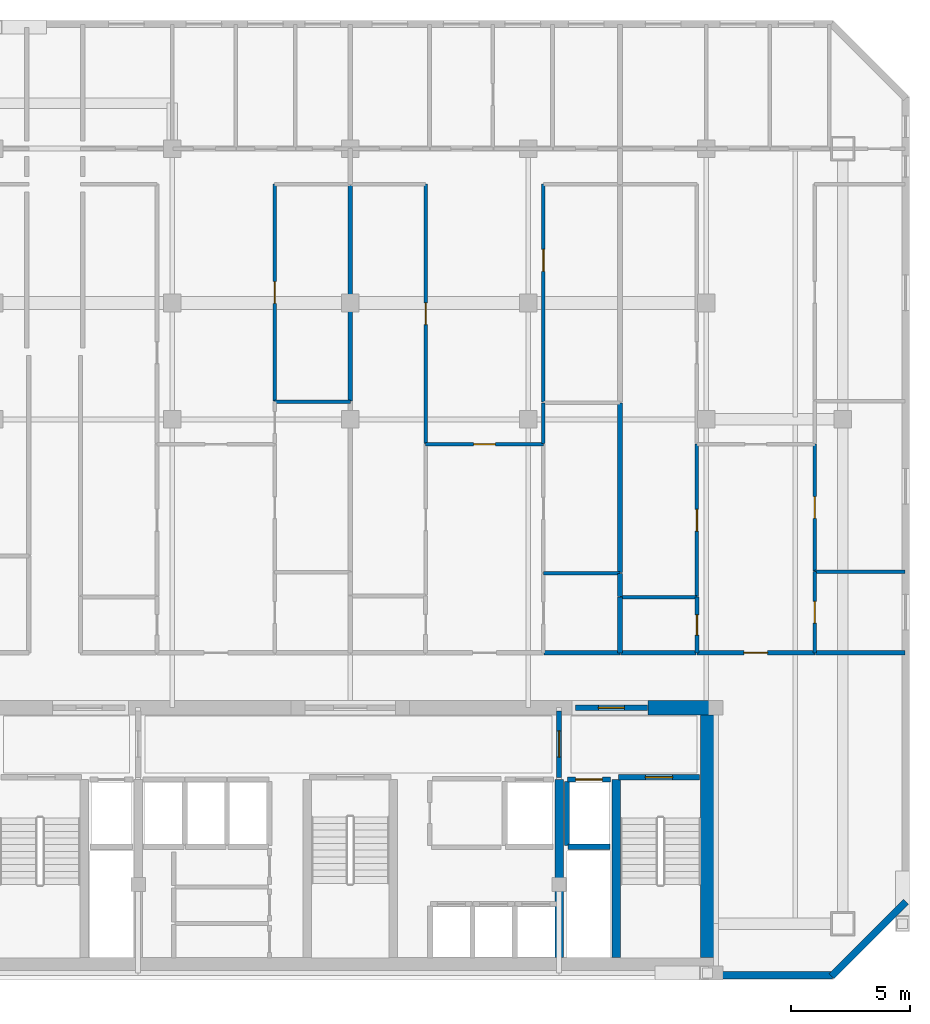
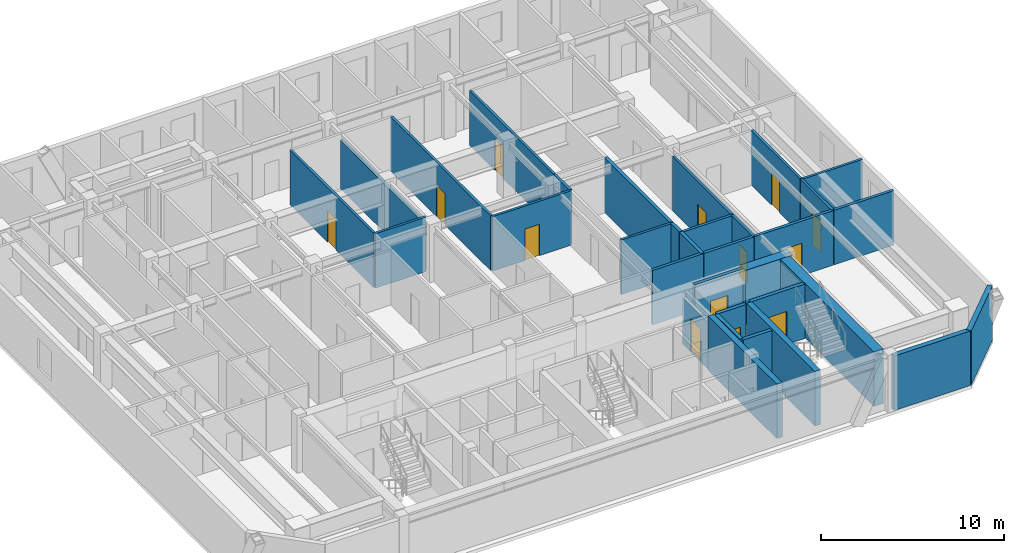
# One storey, part 5 of 9: 33 walls, 13 doors, 13 openings.
"""IFC4 building model written with IfcOpenShell, lengths in metres."""

from ifc_helpers import new_model, si_unit, direction, frame, frame_2d, origin, place, context, subcontext, project, spatial, rectangle, extrude, material, layer, layer_set, type_object, element, fill, save


model = new_model("IFC4")

# Units and contexts
model_context = context("Model", 3, precision=1e-05, world=origin(), true_north=direction((0.0, 1.0)))
body_context = subcontext(model_context, "Body", "Model", "MODEL_VIEW")
ifc_project = project(units=[si_unit("LENGTHUNIT", "METRE"), si_unit("AREAUNIT", "SQUARE_METRE"), si_unit("VOLUMEUNIT", "CUBIC_METRE"), si_unit("PLANEANGLEUNIT", "RADIAN"), si_unit("MASSUNIT", "GRAM", prefix="KILO")], contexts=[model_context])

# Site, building, storey
site_placement = place(None, origin())
site = spatial("IfcSite", under=ifc_project, at=site_placement, CompositionType="ELEMENT")
building_placement = place(site_placement, origin())
building = spatial("IfcBuilding", under=site, at=building_placement, Name="Ventersveld Concourse Tower", CompositionType="ELEMENT")
storey_placement = place(building_placement, frame((0.0, 0.0, 215.699951171875)))
storey = spatial("IfcBuildingStorey", under=building, at=storey_placement, Name="L53", CompositionType="ELEMENT", Elevation=215.699951171875)

# Walls
ifc_material_1 = material(Name="Concrete C50/60", Category="concrete")
ifc_layer_1 = layer(ifc_material_1, 0.35009765625)
ifc_layer_set_1 = layer_set([ifc_layer_1], Name="Concrete C50/60")
wall_type_1 = type_object("IfcWallType", Name="WL-CORE-350U", PredefinedType="SHEAR", material=ifc_layer_set_1)
for number, where, z_axis, x_axis, name in (
    (1, (37.550048828125, 0.919921875, 0.0), (0.0, 0.0, 1.0), (0.0, 1.0, 0.0), "L53 Core Internal Shear Web W-SVL-W"),
    (2, (39.9599609375, 0.919921875, 0.0), (0.0, 0.0, 1.0), (0.0, 1.0, 0.0), "L53 Core Internal Shear Web W-ST2-W"),
):
    element("IfcWall", number, at=place(storey_placement, frame(where, z_axis=z_axis, x_axis=x_axis)), inside=storey, type_object=wall_type_1, Name=name, PredefinedType="SHEAR", context=body_context, shape_type="SweptSolid", body=[
        extrude(rectangle(XDim=7.5, YDim=0.35009765625, at=frame_2d((3.75, 0.0))), origin(), (0.0, 0.0, 1.0), 3.630126953125),
    ])
ifc_layer_2 = layer(ifc_material_1, 0.60009765625)
ifc_layer_set_2 = layer_set([ifc_layer_2], Name="Concrete C50/60")
wall_type_2 = type_object("IfcWallType", Name="WL-CORE-600", PredefinedType="SHEAR", material=ifc_layer_set_2)
wall_1_placement = place(storey_placement, frame((43.800048828125, 0.919921875, 0.0), z_axis=(0.0, 0.0, 1.0), x_axis=(0.0, 1.0, 0.0)))
element("IfcWall", 3, at=wall_1_placement, inside=storey, type_object=wall_type_2, Name="L53 Rear Core East Shear Wall", PredefinedType="SHEAR", context=body_context, shape_type="SweptSolid", body=[
    extrude(rectangle(XDim=10.530029296875, YDim=0.60009765625, at=frame_2d((5.26513671875, 0.0))), origin(), (0.0, 0.0, 1.0), 3.630126953125),
])
wall_2_placement = place(storey_placement, frame((41.300048828125, 11.449951171875, 0.0), z_axis=(0.0, 0.0, 1.0), x_axis=(1.0, 0.0, 0.0)))
element("IfcWall", 4, at=wall_2_placement, inside=storey, type_object=wall_type_2, Name="L53 Rear Core North Shear Wall NE", PredefinedType="SHEAR", context=body_context, shape_type="SweptSolid", body=[
    extrude(rectangle(XDim=2.949951171875, YDim=0.60009765625, at=frame_2d((1.47509765625, 0.0))), origin(), (0.0, 0.0, 1.0), 3.630126953125),
])
ifc_material_2 = material(Name="Fire-rated autoclaved aerated masonry blockwork", Category="masonry")
ifc_layer_3 = layer(ifc_material_2, 0.179931640625)
ifc_layer_set_3 = layer_set([ifc_layer_3], Name="Fire-rated autoclaved aerated masonry blockwork")
wall_type_3 = type_object("IfcWallType", Name="WL-CORR-180", PredefinedType="PARTITIONING", material=ifc_layer_set_3)
wall_3_placement = place(storey_placement, frame((36.923095703125, 13.77001953125, 0.0), z_axis=(0.0, 0.0, 1.0), x_axis=(1.0, 0.0, 0.0)))
element("IfcWall", 5, at=wall_3_placement, inside=storey, type_object=wall_type_3, Name="L53 Interior Partition SP-L53-COR-SP-L53-53N2-KIT", PredefinedType="PARTITIONING", context=body_context, shape_type="SweptSolid", body=[
    extrude(rectangle(XDim=3.19189453125, YDim=0.179931640625, at=frame_2d((1.595947265625, 0.0))), origin(), (0.0, 0.0, 1.0), 3.630126953125),
])

# Wall, opening, door
wall_4_placement = place(storey_placement, frame((43.35009765625, 13.77001953125, 0.0), z_axis=(0.0, 0.0, 1.0), x_axis=(1.0, 0.0, 0.0)))
wall_4 = element("IfcWall", 6, at=wall_4_placement, inside=storey, type_object=wall_type_3, Name="L53 Interior Partition SP-L53-COR-SP-L53-53N3-FOY", PredefinedType="PARTITIONING", context=body_context, shape_type="SweptSolid", body=[
    extrude(rectangle(XDim=4.972900390625, YDim=0.179931640625, at=frame_2d((2.486328125, 0.0))), origin(), (0.0, 0.0, 1.0), 3.630126953125),
])
opening_1_placement = place(wall_4_placement, frame((1.986328125, 0.0, 0.0)))
opening_1 = element("IfcOpeningElement", 7, at=opening_1_placement, cuts=wall_4, Name="Opening FD3", PredefinedType="OPENING", context=body_context, shape_type="SweptSolid", body=[
    extrude(rectangle(XDim=1.0, YDim=2.14990234375, at=frame_2d((0.5, 1.074951171875))), frame((0.0, 0.10009765625, 0.0), z_axis=(0.0, -1.0, 0.0), x_axis=(1.0, 0.0, 0.0)), (0.0, 0.0, 1.0), 0.199951171875),
])
ifc_material_3 = material(Name="Solid-core hardwood veneer timber", Category="wood")
door_type_1 = type_object("IfcDoorType", Name="DR-FLAT-100", OperationType="NOTDEFINED", PredefinedType="DOOR", material=ifc_material_3)
door_1_placement = place(opening_1_placement, origin())
door_1 = element("IfcDoor", 8, at=door_1_placement, inside=storey, type_object=door_type_1, Name="L53 Interior Door SP-L53-COR to SP-L53-53N3-FOY (FD-L53-2568)", OperationType="SINGLE_SWING_RIGHT", OverallHeight=2.14990234375, OverallWidth=1.0, PredefinedType="DOOR", context=body_context, shape_type="SweptSolid", body=[
    extrude(rectangle(XDim=1.0, YDim=2.14990234375, at=frame_2d((0.5, 1.074951171875))), frame((0.0, 0.02490234375, 0.0), z_axis=(0.0, -1.0, 0.0), x_axis=(1.0, 0.0, 0.0)), (0.0, 0.0, 1.0), 0.050048828125),
])
fill(opening_1, door_1)

# Walls
wall_5_placement = place(storey_placement, frame((40.14501953125, 13.77001953125, 0.0), z_axis=(0.0, 0.0, 1.0), x_axis=(1.0, 0.0, 0.0)))
element("IfcWall", 9, at=wall_5_placement, inside=storey, type_object=wall_type_3, Name="L53 Interior Partition SP-L53-COR-SP-L53-53N3-BATH", PredefinedType="PARTITIONING", context=body_context, shape_type="SweptSolid", body=[
    extrude(rectangle(XDim=3.175048828125, YDim=0.179931640625, at=frame_2d((1.58740234375, 0.0))), origin(), (0.0, 0.0, 1.0), 3.630126953125),
])
wall_6_placement = place(storey_placement, frame((48.352783203125, 13.77001953125, 0.0), z_axis=(0.0, 0.0, 1.0), x_axis=(1.0, 0.0, 0.0)))
element("IfcWall", 10, at=wall_6_placement, inside=storey, type_object=wall_type_3, Name="L53 Interior Partition SP-L53-COR-SP-L53-53N3-KIT", PredefinedType="PARTITIONING", context=body_context, shape_type="SweptSolid", body=[
    extrude(rectangle(XDim=3.774658203125, YDim=0.179931640625, at=frame_2d((1.88720703125, 0.0))), origin(), (0.0, 0.0, 1.0), 3.630126953125),
])
ifc_layer_4 = layer(ifc_material_2, 0.199951171875)
ifc_layer_set_4 = layer_set([ifc_layer_4], Name="Fire-rated autoclaved aerated masonry blockwork")
wall_type_4 = type_object("IfcWallType", Name="WL-DEMISE-200", PredefinedType="PARTITIONING", material=ifc_layer_set_4)
wall_7_placement = place(storey_placement, frame((28.75, 24.375244140625, 0.0), z_axis=(0.0, 0.0, 1.0), x_axis=(0.0, 1.0, 0.0)))
element("IfcWall", 11, at=wall_7_placement, inside=storey, type_object=wall_type_4, Name="L53 Interior Partition SP-L53-53N1-DENS-SP-L53-53N2-OFFL0", PredefinedType="PARTITIONING", context=body_context, shape_type="SweptSolid", body=[
    extrude(rectangle(XDim=9.08984375, YDim=0.199951171875, at=frame_2d((4.544921875, 0.0))), origin(), (0.0, 0.0, 1.0), 3.2236328125),
])
wall_8_placement = place(storey_placement, frame((40.110107421875, 13.764892578125, 0.0), z_axis=(0.0, 0.0, 1.0), x_axis=(0.0, 1.0, 0.0)))
element("IfcWall", 12, at=wall_8_placement, inside=storey, type_object=wall_type_4, Name="L53 Interior Partition SP-L53-53N2-KIT-SP-L53-53N3-BATH", PredefinedType="PARTITIONING", context=body_context, shape_type="SweptSolid", body=[
    extrude(rectangle(XDim=2.343505859375, YDim=0.199951171875, at=frame_2d((1.171875, 0.0))), origin(), (0.0, 0.0, 1.0), 3.630126953125),
])
wall_9_placement = place(storey_placement, frame((40.110107421875, 16.13818359375, 0.0), z_axis=(0.0, 0.0, 1.0), x_axis=(0.0, 1.0, 0.0)))
element("IfcWall", 13, at=wall_9_placement, inside=storey, type_object=wall_type_4, Name="L53 Interior Partition SP-L53-53N2-KIT-SP-L53-53N3-SEML0", PredefinedType="PARTITIONING", context=body_context, shape_type="SweptSolid", body=[
    extrude(rectangle(XDim=0.97265625, YDim=0.199951171875, at=frame_2d((0.486328125, 0.0))), origin(), (0.0, 0.0, 1.0), 3.630126953125),
])
wall_10_placement = place(storey_placement, frame((40.110107421875, 17.140869140625, 0.0), z_axis=(0.0, 0.0, 1.0), x_axis=(0.0, 1.0, 0.0)))
element("IfcWall", 14, at=wall_10_placement, inside=storey, type_object=wall_type_4, Name="L53 Interior Partition SP-L53-53N2-DENR-SP-L53-53N3-SEML0", PredefinedType="PARTITIONING", context=body_context, shape_type="SweptSolid", body=[
    extrude(rectangle(XDim=7.1552734375, YDim=0.199951171875, at=frame_2d((3.57763671875, 0.0))), origin(), (0.0, 0.0, 1.0), 3.630126953125),
])
ifc_layer_5 = layer(ifc_material_2, 0.219970703125)
ifc_layer_set_5 = layer_set([ifc_layer_5], Name="Fire-rated autoclaved aerated masonry blockwork")
wall_type_5 = type_object("IfcWallType", Name="WL-HOIST-220", PredefinedType="SOLIDWALL", material=ifc_layer_set_5)
wall_11_placement = place(storey_placement, frame((37.919921875, 5.590087890625, 0.0), z_axis=(0.0, 0.0, 1.0), x_axis=(1.0, 0.0, 0.0)))
element("IfcWall", 15, at=wall_11_placement, inside=storey, type_object=wall_type_5, Name="L53 Lift Hoistway Back Wall FFL-02", PredefinedType="SOLIDWALL", context=body_context, shape_type="SweptSolid", body=[
    extrude(rectangle(XDim=1.780029296875, YDim=0.219970703125, at=frame_2d((0.89013671875, 0.0))), origin(), (0.0, 0.0, 1.0), 3.630126953125),
])
wall_12_placement = place(storey_placement, frame((37.8798828125, 5.64990234375, 0.0), z_axis=(0.0, 0.0, 1.0), x_axis=(0.0, 1.0, 0.0)))
element("IfcWall", 16, at=wall_12_placement, inside=storey, type_object=wall_type_5, Name="L53 Lift Hoistway Side Wall FFL-02W", PredefinedType="SOLIDWALL", context=body_context, shape_type="SweptSolid", body=[
    extrude(rectangle(XDim=2.7001953125, YDim=0.219970703125, at=frame_2d((1.35009765625, 0.0))), origin(), (0.0, 0.0, 1.0), 3.630126953125),
])

# Wall, opening, door
wall_13_placement = place(storey_placement, frame((37.89990234375, 8.429931640625, 0.0), z_axis=(0.0, 0.0, 1.0), x_axis=(1.0, 0.0, 0.0)))
wall_13 = element("IfcWall", 17, at=wall_13_placement, inside=storey, type_object=wall_type_5, Name="L53 Lift Hoistway Front Wall FFL-02", PredefinedType="SOLIDWALL", context=body_context, shape_type="SweptSolid", body=[
    extrude(rectangle(XDim=1.820068359375, YDim=0.219970703125, at=frame_2d((0.91015625, 0.0))), origin(), (0.0, 0.0, 1.0), 3.630126953125),
])
opening_2_placement = place(wall_13_placement, frame((0.35009765625, 0.0, 0.0)))
opening_2 = element("IfcOpeningElement", 18, at=opening_2_placement, cuts=wall_13, Name="Opening LD1", PredefinedType="OPENING", context=body_context, shape_type="SweptSolid", body=[
    extrude(rectangle(XDim=1.1201171875, YDim=2.25, at=frame_2d((0.56005859375, 1.125))), frame((0.0, 0.1201171875, 0.0), z_axis=(0.0, -1.0, 0.0), x_axis=(1.0, 0.0, 0.0)), (0.0, 0.0, 1.0), 0.239990234375),
])
ifc_material_4 = material(Name="Brushed stainless steel 316", Category="steel")
door_type_2 = type_object("IfcDoorType", Name="LD-FF-112", OperationType="SLIDING_TO_LEFT", PredefinedType="DOOR", material=ifc_material_4)
door_2_placement = place(opening_2_placement, origin())
door_2 = element("IfcDoor", 19, at=door_2_placement, inside=storey, type_object=door_type_2, Name="L53 Lift landing door FFL-02 (LD-L53-FFL-02)", OperationType="SLIDING_TO_RIGHT", OverallHeight=2.25, OverallWidth=1.1201171875, PredefinedType="DOOR", context=body_context, shape_type="SweptSolid", body=[
    extrude(rectangle(XDim=1.1201171875, YDim=2.25, at=frame_2d((0.56005859375, 1.125))), frame((0.0, 0.02490234375, 0.0), z_axis=(0.0, -1.0, 0.0), x_axis=(1.0, 0.0, 0.0)), (0.0, 0.0, 1.0), 0.050048828125),
])
fill(opening_2, door_2)

wall_14_placement = place(storey_placement, frame((40.06005859375, 8.52001953125, 0.0), z_axis=(0.0, 0.0, 1.0), x_axis=(1.0, 0.0, 0.0)))
wall_14 = element("IfcWall", 20, at=wall_14_placement, inside=storey, type_object=wall_type_5, Name="L53 Escape Stair ST02 Fire Wall", PredefinedType="SOLIDWALL", context=body_context, shape_type="SweptSolid", body=[
    extrude(rectangle(XDim=3.39990234375, YDim=0.219970703125, at=frame_2d((1.699951171875, 0.0))), origin(), (0.0, 0.0, 1.0), 3.630126953125),
])
opening_3_placement = place(wall_14_placement, frame((1.125, 0.0, 0.0)))
opening_3 = element("IfcOpeningElement", 21, at=opening_3_placement, cuts=wall_14, Name="Opening FD1", PredefinedType="OPENING", context=body_context, shape_type="SweptSolid", body=[
    extrude(rectangle(XDim=1.14990234375, YDim=2.199951171875, at=frame_2d((0.574951171875, 1.10009765625))), frame((0.0, 0.1201171875, 0.0), z_axis=(0.0, -1.0, 0.0), x_axis=(1.0, 0.0, 0.0)), (0.0, 0.0, 1.0), 0.239990234375),
])
ifc_material_5 = material(Name="Galvanised painted steel", Category="steel")
door_type_3 = type_object("IfcDoorType", Name="DR-STAIR-115", OperationType="NOTDEFINED", PredefinedType="DOOR", material=ifc_material_5)
door_3_placement = place(opening_3_placement, origin())
door_3 = element("IfcDoor", 22, at=door_3_placement, inside=storey, type_object=door_type_3, Name="L53 Escape Stair Door ST02 (SD-L53-2554)", OperationType="SINGLE_SWING_RIGHT", OverallHeight=2.199951171875, OverallWidth=1.14990234375, PredefinedType="DOOR", context=body_context, shape_type="SweptSolid", body=[
    extrude(rectangle(XDim=1.14990234375, YDim=2.199951171875, at=frame_2d((0.574951171875, 1.10009765625))), frame((0.0, 0.02490234375, 0.0), z_axis=(0.0, -1.0, 0.0), x_axis=(1.0, 0.0, 0.0)), (0.0, 0.0, 1.0), 0.050048828125),
])
fill(opening_3, door_3)

wall_15_placement = place(storey_placement, frame((37.550048828125, 8.52001953125, 0.0), z_axis=(0.0, 0.0, 1.0), x_axis=(0.0, 1.0, 0.0)))
wall_15 = element("IfcWall", 23, at=wall_15_placement, inside=storey, type_object=wall_type_5, Name="L53 Firefighting Lobby Smoke-Stop Wall FFLE-SEP", PredefinedType="SOLIDWALL", context=body_context, shape_type="SweptSolid", body=[
    extrude(rectangle(XDim=2.800048828125, YDim=0.219970703125, at=frame_2d((1.39990234375, 0.0))), origin(), (0.0, 0.0, 1.0), 3.08544921875),
])
opening_4_placement = place(wall_15_placement, frame((0.85009765625, 0.0, 0.0)))
opening_4 = element("IfcOpeningElement", 24, at=opening_4_placement, cuts=wall_15, Name="Opening FD2", PredefinedType="OPENING", context=body_context, shape_type="SweptSolid", body=[
    extrude(rectangle(XDim=1.10009765625, YDim=2.199951171875, at=frame_2d((0.550048828125, 1.10009765625))), frame((0.0, 0.1201171875, 0.0), z_axis=(0.0, -1.0, 0.0), x_axis=(1.0, 0.0, 0.0)), (0.0, 0.0, 1.0), 0.239990234375),
])
door_type_4 = type_object("IfcDoorType", Name="DR-FFL-110", OperationType="NOTDEFINED", PredefinedType="DOOR", material=ifc_material_5)
door_4_placement = place(opening_4_placement, origin())
door_4 = element("IfcDoor", 25, at=door_4_placement, inside=storey, type_object=door_type_4, Name="L53 Firefighting Lobby Door FFLE-SEP (FD-L53-2557)", OperationType="SINGLE_SWING_RIGHT", OverallHeight=2.199951171875, OverallWidth=1.10009765625, PredefinedType="DOOR", context=body_context, shape_type="SweptSolid", body=[
    extrude(rectangle(XDim=1.10009765625, YDim=2.199951171875, at=frame_2d((0.550048828125, 1.10009765625))), frame((0.0, 0.02490234375, 0.0), z_axis=(0.0, -1.0, 0.0), x_axis=(1.0, 0.0, 0.0)), (0.0, 0.0, 1.0), 0.050048828125),
])
fill(opening_4, door_4)

wall_16_placement = place(storey_placement, frame((38.22998046875, 11.449951171875, 0.0), z_axis=(0.0, 0.0, 1.0), x_axis=(1.0, 0.0, 0.0)))
wall_16 = element("IfcWall", 26, at=wall_16_placement, inside=storey, type_object=wall_type_5, Name="L53 Core North Fire Portal FFLE-OUT", PredefinedType="SOLIDWALL", context=body_context, shape_type="SweptSolid", body=[
    extrude(rectangle(XDim=3.0400390625, YDim=0.219970703125, at=frame_2d((1.52001953125, 0.0))), origin(), (0.0, 0.0, 1.0), 3.630126953125),
])
opening_5_placement = place(wall_16_placement, frame((0.969970703125, 0.0, 0.0)))
opening_5 = element("IfcOpeningElement", 27, at=opening_5_placement, cuts=wall_16, Name="Opening FD2", PredefinedType="OPENING", context=body_context, shape_type="SweptSolid", body=[
    extrude(rectangle(XDim=1.10009765625, YDim=2.199951171875, at=frame_2d((0.550048828125, 1.10009765625))), frame((0.0, 0.1201171875, 0.0), z_axis=(0.0, -1.0, 0.0), x_axis=(1.0, 0.0, 0.0)), (0.0, 0.0, 1.0), 0.239990234375),
])
door_5_placement = place(opening_5_placement, origin())
door_5 = element("IfcDoor", 28, at=door_5_placement, inside=storey, type_object=door_type_4, Name="L53 Core Lobby Fire Door FFLE-OUT (FD-L53-2560)", OperationType="SINGLE_SWING_LEFT", OverallHeight=2.199951171875, OverallWidth=1.10009765625, PredefinedType="DOOR", context=body_context, shape_type="SweptSolid", body=[
    extrude(rectangle(XDim=1.10009765625, YDim=2.199951171875, at=frame_2d((0.550048828125, 1.10009765625))), frame((0.0, 0.02490234375, 0.0), z_axis=(0.0, -1.0, 0.0), x_axis=(1.0, 0.0, 0.0)), (0.0, 0.0, 1.0), 0.050048828125),
])
fill(opening_5, door_5)

ifc_material_6 = material(Name="Autoclaved aerated masonry blockwork", Category="masonry")
ifc_layer_6 = layer(ifc_material_6, 0.14990234375)
ifc_layer_set_6 = layer_set([ifc_layer_6], Name="Autoclaved aerated masonry blockwork")
wall_type_6 = type_object("IfcWallType", Name="WL-INT-150", PredefinedType="PARTITIONING", material=ifc_layer_set_6)
wall_17_placement = place(storey_placement, frame((25.57470703125, 24.375244140625, 0.0), z_axis=(0.0, 0.0, 1.0), x_axis=(0.0, 1.0, 0.0)))
wall_17 = element("IfcWall", 29, at=wall_17_placement, inside=storey, type_object=wall_type_6, Name="L53 Interior Partition SP-L53-53N1-LIV-SP-L53-53N1-DENS", PredefinedType="PARTITIONING", context=body_context, shape_type="SweptSolid", body=[
    extrude(rectangle(XDim=9.129638671875, YDim=0.14990234375, at=frame_2d((4.56494140625, 0.0))), origin(), (0.0, 0.0, 1.0), 3.630126953125),
])
opening_6_placement = place(wall_17_placement, frame((4.10498046875, 0.0, 0.0)))
opening_6 = element("IfcOpeningElement", 30, at=opening_6_placement, cuts=wall_17, Name="Opening ID1", PredefinedType="OPENING", context=body_context, shape_type="SweptSolid", body=[
    extrude(rectangle(XDim=0.919921875, YDim=2.10009765625, at=frame_2d((0.4599609375, 1.050048828125))), frame((0.0, 0.0849609375, 0.0), z_axis=(0.0, -1.0, 0.0), x_axis=(1.0, 0.0, 0.0)), (0.0, 0.0, 1.0), 0.169921875),
])
door_type_5 = type_object("IfcDoorType", Name="DR-ROOM-092", OperationType="NOTDEFINED", PredefinedType="DOOR", material=ifc_material_3)
door_6_placement = place(opening_6_placement, origin())
door_6 = element("IfcDoor", 31, at=door_6_placement, inside=storey, type_object=door_type_5, Name="L53 Interior Door SP-L53-53N1-LIV to SP-L53-53N1-DENS (D-L53-2584)", OperationType="SINGLE_SWING_RIGHT", OverallHeight=2.10009765625, OverallWidth=0.919921875, PredefinedType="DOOR", context=body_context, shape_type="SweptSolid", body=[
    extrude(rectangle(XDim=0.919921875, YDim=2.10009765625, at=frame_2d((0.4599609375, 1.050048828125))), frame((0.0, 0.02490234375, 0.0), z_axis=(0.0, -1.0, 0.0), x_axis=(1.0, 0.0, 0.0)), (0.0, 0.0, 1.0), 0.050048828125),
])
fill(opening_6, door_6)

# Wall
wall_18_placement = place(storey_placement, frame((25.569580078125, 24.340087890625, 0.0), z_axis=(0.0, 0.0, 1.0), x_axis=(1.0, 0.0, 0.0)))
element("IfcWall", 32, at=wall_18_placement, inside=storey, type_object=wall_type_6, Name="L53 Interior Partition SP-L53-53N1-DENR-SP-L53-53N1-DENS", PredefinedType="PARTITIONING", context=body_context, shape_type="SweptSolid", body=[
    extrude(rectangle(XDim=3.185302734375, YDim=0.14990234375, at=frame_2d((1.5927734375, 0.0))), origin(), (0.0, 0.0, 1.0), 3.630126953125),
])

# Wall, opening, door
wall_19_placement = place(storey_placement, frame((31.92041015625, 22.5478515625, 0.0), z_axis=(0.0, 0.0, 1.0), x_axis=(1.0, 0.0, 0.0)))
wall_19 = element("IfcWall", 33, at=wall_19_placement, inside=storey, type_object=wall_type_6, Name="L53 Interior Partition SP-L53-53N2-FOY-SP-L53-53N2-LIV", PredefinedType="PARTITIONING", context=body_context, shape_type="SweptSolid", body=[
    extrude(rectangle(XDim=4.97265625, YDim=0.14990234375, at=frame_2d((2.486328125, 0.0))), origin(), (0.0, 0.0, 1.0), 3.630126953125),
])
opening_7_placement = place(wall_19_placement, frame((2.0263671875, 0.0, 0.0)))
opening_7 = element("IfcOpeningElement", 34, at=opening_7_placement, cuts=wall_19, Name="Opening ID1", PredefinedType="OPENING", context=body_context, shape_type="SweptSolid", body=[
    extrude(rectangle(XDim=0.919921875, YDim=2.10009765625, at=frame_2d((0.4599609375, 1.050048828125))), frame((0.0, 0.0849609375, 0.0), z_axis=(0.0, -1.0, 0.0), x_axis=(1.0, 0.0, 0.0)), (0.0, 0.0, 1.0), 0.169921875),
])
door_7_placement = place(opening_7_placement, origin())
door_7 = element("IfcDoor", 35, at=door_7_placement, inside=storey, type_object=door_type_5, Name="L53 Interior Door SP-L53-53N2-FOY to SP-L53-53N2-LIV (D-L53-2589)", OperationType="SINGLE_SWING_LEFT", OverallHeight=2.10009765625, OverallWidth=0.919921875, PredefinedType="DOOR", context=body_context, shape_type="SweptSolid", body=[
    extrude(rectangle(XDim=0.919921875, YDim=2.10009765625, at=frame_2d((0.4599609375, 1.050048828125))), frame((0.0, 0.02490234375, 0.0), z_axis=(0.0, -1.0, 0.0), x_axis=(1.0, 0.0, 0.0)), (0.0, 0.0, 1.0), 0.050048828125),
])
fill(opening_7, door_7)

wall_20_placement = place(storey_placement, frame((31.92529296875, 22.5830078125, 0.0), z_axis=(0.0, 0.0, 1.0), x_axis=(0.0, 1.0, 0.0)))
wall_20 = element("IfcWall", 36, at=wall_20_placement, inside=storey, type_object=wall_type_6, Name="L53 Interior Partition SP-L53-53N2-LIV-SP-L53-53N2-OFFL0", PredefinedType="PARTITIONING", context=body_context, shape_type="SweptSolid", body=[
    extrude(rectangle(XDim=10.921875, YDim=0.14990234375, at=frame_2d((5.4609375, 0.0))), origin(), (0.0, 0.0, 1.0), 3.630126953125),
])
opening_8_placement = place(wall_20_placement, frame((5.001220703125, 0.0, 0.0)))
opening_8 = element("IfcOpeningElement", 37, at=opening_8_placement, cuts=wall_20, Name="Opening ID1", PredefinedType="OPENING", context=body_context, shape_type="SweptSolid", body=[
    extrude(rectangle(XDim=0.919921875, YDim=2.10009765625, at=frame_2d((0.4599609375, 1.050048828125))), frame((0.0, 0.0849609375, 0.0), z_axis=(0.0, -1.0, 0.0), x_axis=(1.0, 0.0, 0.0)), (0.0, 0.0, 1.0), 0.169921875),
])
door_8_placement = place(opening_8_placement, origin())
door_8 = element("IfcDoor", 38, at=door_8_placement, inside=storey, type_object=door_type_5, Name="L53 Interior Door SP-L53-53N2-LIV to SP-L53-53N2-OFFL0 (D-L53-2594)", OperationType="SINGLE_SWING_RIGHT", OverallHeight=2.10009765625, OverallWidth=0.919921875, PredefinedType="DOOR", context=body_context, shape_type="SweptSolid", body=[
    extrude(rectangle(XDim=0.919921875, YDim=2.10009765625, at=frame_2d((0.4599609375, 1.050048828125))), frame((0.0, 0.02490234375, 0.0), z_axis=(0.0, -1.0, 0.0), x_axis=(1.0, 0.0, 0.0)), (0.0, 0.0, 1.0), 0.050048828125),
])
fill(opening_8, door_8)

# Wall
wall_21_placement = place(storey_placement, frame((36.88818359375, 22.5830078125, 0.0), z_axis=(0.0, 0.0, 1.0), x_axis=(0.0, 1.0, 0.0)))
element("IfcWall", 39, at=wall_21_placement, inside=storey, type_object=wall_type_6, Name="L53 Interior Partition SP-L53-53N2-LIV-SP-L53-53N2-DENR", PredefinedType="PARTITIONING", context=body_context, shape_type="SweptSolid", body=[
    extrude(rectangle(XDim=1.713134765625, YDim=0.14990234375, at=frame_2d((0.8564453125, 0.0))), origin(), (0.0, 0.0, 1.0), 3.630126953125),
])

# Wall, opening, door
wall_22_placement = place(storey_placement, frame((36.88818359375, 24.326171875, 0.0), z_axis=(0.0, 0.0, 1.0), x_axis=(0.0, 1.0, 0.0)))
wall_22 = element("IfcWall", 40, at=wall_22_placement, inside=storey, type_object=wall_type_6, Name="L53 Interior Partition SP-L53-53N2-LIV-SP-L53-53N2-DENS", PredefinedType="PARTITIONING", context=body_context, shape_type="SweptSolid", body=[
    extrude(rectangle(XDim=9.1787109375, YDim=0.14990234375, at=frame_2d((4.58935546875, 0.0))), origin(), (0.0, 0.0, 1.0), 3.630126953125),
])
opening_9_placement = place(wall_22_placement, frame((5.50634765625, 0.0, 0.0)))
opening_9 = element("IfcOpeningElement", 41, at=opening_9_placement, cuts=wall_22, Name="Opening ID1", PredefinedType="OPENING", context=body_context, shape_type="SweptSolid", body=[
    extrude(rectangle(XDim=0.919921875, YDim=2.10009765625, at=frame_2d((0.4599609375, 1.050048828125))), frame((0.0, 0.0849609375, 0.0), z_axis=(0.0, -1.0, 0.0), x_axis=(1.0, 0.0, 0.0)), (0.0, 0.0, 1.0), 0.169921875),
])
door_9_placement = place(opening_9_placement, origin())
door_9 = element("IfcDoor", 42, at=door_9_placement, inside=storey, type_object=door_type_5, Name="L53 Interior Door SP-L53-53N2-LIV to SP-L53-53N2-DENS (D-L53-2596)", OperationType="SINGLE_SWING_RIGHT", OverallHeight=2.10009765625, OverallWidth=0.919921875, PredefinedType="DOOR", context=body_context, shape_type="SweptSolid", body=[
    extrude(rectangle(XDim=0.919921875, YDim=2.10009765625, at=frame_2d((0.4599609375, 1.050048828125))), frame((0.0, 0.02490234375, 0.0), z_axis=(0.0, -1.0, 0.0), x_axis=(1.0, 0.0, 0.0)), (0.0, 0.0, 1.0), 0.050048828125),
])
fill(opening_9, door_9)

# Wall
wall_23_placement = place(storey_placement, frame((36.883056640625, 17.10595703125, 0.0), z_axis=(0.0, 0.0, 1.0), x_axis=(1.0, 0.0, 0.0)))
element("IfcWall", 43, at=wall_23_placement, inside=storey, type_object=wall_type_6, Name="L53 Interior Partition SP-L53-53N2-KIT-SP-L53-53N2-DENR", PredefinedType="PARTITIONING", context=body_context, shape_type="SweptSolid", body=[
    extrude(rectangle(XDim=3.23193359375, YDim=0.14990234375, at=frame_2d((1.615966796875, 0.0))), origin(), (0.0, 0.0, 1.0), 3.630126953125),
])

# Wall, opening, door
wall_24_placement = place(storey_placement, frame((43.35498046875, 16.13818359375, 0.0), z_axis=(0.0, 0.0, 1.0), x_axis=(0.0, 1.0, 0.0)))
wall_24 = element("IfcWall", 44, at=wall_24_placement, inside=storey, type_object=wall_type_6, Name="L53 Interior Partition SP-L53-53N3-FOY-SP-L53-53N3-SEML0", PredefinedType="PARTITIONING", context=body_context, shape_type="SweptSolid", body=[
    extrude(rectangle(XDim=6.414794921875, YDim=0.14990234375, at=frame_2d((3.20751953125, 0.0))), origin(), (0.0, 0.0, 1.0), 3.630126953125),
])
opening_10_placement = place(wall_24_placement, frame((2.747314453125, 0.0, 0.0)))
opening_10 = element("IfcOpeningElement", 45, at=opening_10_placement, cuts=wall_24, Name="Opening ID1", PredefinedType="OPENING", context=body_context, shape_type="SweptSolid", body=[
    extrude(rectangle(XDim=0.919921875, YDim=2.10009765625, at=frame_2d((0.4599609375, 1.050048828125))), frame((0.0, 0.0849609375, 0.0), z_axis=(0.0, -1.0, 0.0), x_axis=(1.0, 0.0, 0.0)), (0.0, 0.0, 1.0), 0.169921875),
])
door_10_placement = place(opening_10_placement, origin())
door_10 = element("IfcDoor", 46, at=door_10_placement, inside=storey, type_object=door_type_5, Name="L53 Interior Door SP-L53-53N3-FOY to SP-L53-53N3-SEML0 (D-L53-2603)", OperationType="SINGLE_SWING_LEFT", OverallHeight=2.10009765625, OverallWidth=0.919921875, PredefinedType="DOOR", context=body_context, shape_type="SweptSolid", body=[
    extrude(rectangle(XDim=0.919921875, YDim=2.10009765625, at=frame_2d((0.4599609375, 1.050048828125))), frame((0.0, 0.02490234375, 0.0), z_axis=(0.0, -1.0, 0.0), x_axis=(1.0, 0.0, 0.0)), (0.0, 0.0, 1.0), 0.050048828125),
])
fill(opening_10, door_10)

wall_25_placement = place(storey_placement, frame((48.31787109375, 13.764892578125, 0.0), z_axis=(0.0, 0.0, 1.0), x_axis=(0.0, 1.0, 0.0)))
wall_25 = element("IfcWall", 47, at=wall_25_placement, inside=storey, type_object=wall_type_6, Name="L53 Interior Partition SP-L53-53N3-FOY-SP-L53-53N3-KIT", PredefinedType="PARTITIONING", context=body_context, shape_type="SweptSolid", body=[
    extrude(rectangle(XDim=3.420166015625, YDim=0.14990234375, at=frame_2d((1.7099609375, 0.0))), origin(), (0.0, 0.0, 1.0), 3.630126953125),
])
opening_11_placement = place(wall_25_placement, frame((1.25, 0.0, 0.0)))
opening_11 = element("IfcOpeningElement", 48, at=opening_11_placement, cuts=wall_25, Name="Opening ID1", PredefinedType="OPENING", context=body_context, shape_type="SweptSolid", body=[
    extrude(rectangle(XDim=0.919921875, YDim=2.10009765625, at=frame_2d((0.4599609375, 1.050048828125))), frame((0.0, 0.0849609375, 0.0), z_axis=(0.0, -1.0, 0.0), x_axis=(1.0, 0.0, 0.0)), (0.0, 0.0, 1.0), 0.169921875),
])
door_11_placement = place(opening_11_placement, origin())
door_11 = element("IfcDoor", 49, at=door_11_placement, inside=storey, type_object=door_type_5, Name="L53 Interior Door SP-L53-53N3-FOY to SP-L53-53N3-KIT (D-L53-2604)", OperationType="SINGLE_SWING_RIGHT", OverallHeight=2.10009765625, OverallWidth=0.919921875, PredefinedType="DOOR", context=body_context, shape_type="SweptSolid", body=[
    extrude(rectangle(XDim=0.919921875, YDim=2.10009765625, at=frame_2d((0.4599609375, 1.050048828125))), frame((0.0, 0.02490234375, 0.0), z_axis=(0.0, -1.0, 0.0), x_axis=(1.0, 0.0, 0.0)), (0.0, 0.0, 1.0), 0.050048828125),
])
fill(opening_11, door_11)

wall_26_placement = place(storey_placement, frame((48.31787109375, 17.215087890625, 0.0), z_axis=(0.0, 0.0, 1.0), x_axis=(0.0, 1.0, 0.0)))
wall_26 = element("IfcWall", 50, at=wall_26_placement, inside=storey, type_object=wall_type_6, Name="L53 Interior Partition SP-L53-53N3-FOY-SP-L53-53N3-DENR", PredefinedType="PARTITIONING", context=body_context, shape_type="SweptSolid", body=[
    extrude(rectangle(XDim=5.337890625, YDim=0.14990234375, at=frame_2d((2.6689453125, 0.0))), origin(), (0.0, 0.0, 1.0), 3.630126953125),
])
opening_12_placement = place(wall_26_placement, frame((2.208984375, 0.0, 0.0)))
opening_12 = element("IfcOpeningElement", 51, at=opening_12_placement, cuts=wall_26, Name="Opening ID1", PredefinedType="OPENING", context=body_context, shape_type="SweptSolid", body=[
    extrude(rectangle(XDim=0.919921875, YDim=2.10009765625, at=frame_2d((0.4599609375, 1.050048828125))), frame((0.0, 0.0849609375, 0.0), z_axis=(0.0, -1.0, 0.0), x_axis=(1.0, 0.0, 0.0)), (0.0, 0.0, 1.0), 0.169921875),
])
door_12_placement = place(opening_12_placement, origin())
door_12 = element("IfcDoor", 52, at=door_12_placement, inside=storey, type_object=door_type_5, Name="L53 Interior Door SP-L53-53N3-FOY to SP-L53-53N3-DENR (D-L53-2605)", OperationType="SINGLE_SWING_LEFT", OverallHeight=2.10009765625, OverallWidth=0.919921875, PredefinedType="DOOR", context=body_context, shape_type="SweptSolid", body=[
    extrude(rectangle(XDim=0.919921875, YDim=2.10009765625, at=frame_2d((0.4599609375, 1.050048828125))), frame((0.0, 0.02490234375, 0.0), z_axis=(0.0, -1.0, 0.0), x_axis=(1.0, 0.0, 0.0)), (0.0, 0.0, 1.0), 0.050048828125),
])
fill(opening_12, door_12)

# Walls
wall_27_placement = place(storey_placement, frame((48.31298828125, 17.179931640625, 0.0), z_axis=(0.0, 0.0, 1.0), x_axis=(1.0, 0.0, 0.0)))
element("IfcWall", 53, at=wall_27_placement, inside=storey, type_object=wall_type_6, Name="L53 Interior Partition SP-L53-53N3-KIT-SP-L53-53N3-DENR", PredefinedType="PARTITIONING", context=body_context, shape_type="SweptSolid", body=[
    extrude(rectangle(XDim=3.814453125, YDim=0.14990234375, at=frame_2d((1.9072265625, 0.0))), origin(), (0.0, 0.0, 1.0), 3.630126953125),
])
ifc_material_7 = material(Name="Precast concrete C45/55", Category="concrete")
ifc_layer_7 = layer(ifc_material_7, 0.300048828125)
ifc_layer_set_7 = layer_set([ifc_layer_7], Name="Precast concrete C45/55")
wall_type_7 = type_object("IfcWallType", Name="WL-PREC-300", PredefinedType="SOLIDWALL", material=ifc_layer_set_7)
wall_28_placement = place(storey_placement, frame((44.25, 0.179931640625, 0.0), z_axis=(0.0, 0.0, 1.0), x_axis=(1.0, 0.0, 0.0)))
element("IfcWall", 54, at=wall_28_placement, inside=storey, type_object=wall_type_7, Name="L53 South-East Flank Precast Wall", PredefinedType="SOLIDWALL", context=body_context, shape_type="SweptSolid", body=[
    extrude(rectangle(XDim=4.81005859375, YDim=0.300048828125, at=frame_2d((2.405029296875, 0.0))), origin(), (0.0, 0.0, 1.0), 3.630126953125),
])
wall_29_placement = place(storey_placement, frame((49.022216796875, 0.134521484375, 0.0), z_axis=(0.0, 0.0, 1.0), x_axis=(0.707106781187, 0.707106781187, 0.0)))
element("IfcWall", 55, at=wall_29_placement, inside=storey, type_object=wall_type_7, Name="L53 Highveld Precast Facade Wall E02", PredefinedType="SOLIDWALL", context=body_context, shape_type="SweptSolid", body=[
    extrude(rectangle(XDim=4.4453125, YDim=0.300048828125, at=frame_2d((2.22265625, 0.0))), origin(), (0.0, 0.0, 1.0), 3.630126953125),
])

# Wall, opening, door
ifc_layer_8 = layer(ifc_material_6, 0.1650390625)
ifc_layer_set_8 = layer_set([ifc_layer_8], Name="Autoclaved aerated masonry blockwork")
wall_type_8 = type_object("IfcWallType", Name="WL-WET-165", PredefinedType="PLUMBINGWALL", material=ifc_layer_set_8)
wall_30_placement = place(storey_placement, frame((43.35498046875, 13.764892578125, 0.0), z_axis=(0.0, 0.0, 1.0), x_axis=(0.0, 1.0, 0.0)))
wall_30 = element("IfcWall", 56, at=wall_30_placement, inside=storey, type_object=wall_type_8, Name="L53 Interior Partition SP-L53-53N3-FOY-SP-L53-53N3-BATH", PredefinedType="PLUMBINGWALL", context=body_context, shape_type="SweptSolid", body=[
    extrude(rectangle(XDim=2.343505859375, YDim=0.1650390625, at=frame_2d((1.171875, 0.0))), origin(), (0.0, 0.0, 1.0), 3.630126953125),
])
opening_13_placement = place(wall_30_placement, frame((0.74658203125, 0.0, 0.0)))
opening_13 = element("IfcOpeningElement", 57, at=opening_13_placement, cuts=wall_30, Name="Opening ID2", PredefinedType="OPENING", context=body_context, shape_type="SweptSolid", body=[
    extrude(rectangle(XDim=0.85009765625, YDim=2.10009765625, at=frame_2d((0.425048828125, 1.050048828125))), frame((0.0, 0.092529296875, 0.0), z_axis=(0.0, -1.0, 0.0), x_axis=(1.0, 0.0, 0.0)), (0.0, 0.0, 1.0), 0.18505859375),
])
door_type_6 = type_object("IfcDoorType", Name="DR-BATH-085", OperationType="NOTDEFINED", PredefinedType="DOOR", material=ifc_material_3)
door_13_placement = place(opening_13_placement, origin())
door_13 = element("IfcDoor", 58, at=door_13_placement, inside=storey, type_object=door_type_6, Name="L53 Interior Door SP-L53-53N3-FOY to SP-L53-53N3-BATH (D-L53-2602)", OperationType="SINGLE_SWING_RIGHT", OverallHeight=2.10009765625, OverallWidth=0.85009765625, PredefinedType="DOOR", context=body_context, shape_type="SweptSolid", body=[
    extrude(rectangle(XDim=0.85009765625, YDim=2.10009765625, at=frame_2d((0.425048828125, 1.050048828125))), frame((0.0, 0.02490234375, 0.0), z_axis=(0.0, -1.0, 0.0), x_axis=(1.0, 0.0, 0.0)), (0.0, 0.0, 1.0), 0.050048828125),
])
fill(opening_13, door_13)

# Wall
wall_31_placement = place(storey_placement, frame((40.10498046875, 16.103271484375, 0.0), z_axis=(0.0, 0.0, 1.0), x_axis=(1.0, 0.0, 0.0)))
element("IfcWall", 59, at=wall_31_placement, inside=storey, type_object=wall_type_8, Name="L53 Interior Partition SP-L53-53N3-BATH-SP-L53-53N3-SEML0", PredefinedType="PLUMBINGWALL", context=body_context, shape_type="SweptSolid", body=[
    extrude(rectangle(XDim=3.255126953125, YDim=0.1650390625, at=frame_2d((1.62744140625, 0.0))), origin(), (0.0, 0.0, 1.0), 3.630126953125),
])

save(model, "model.ifc")
